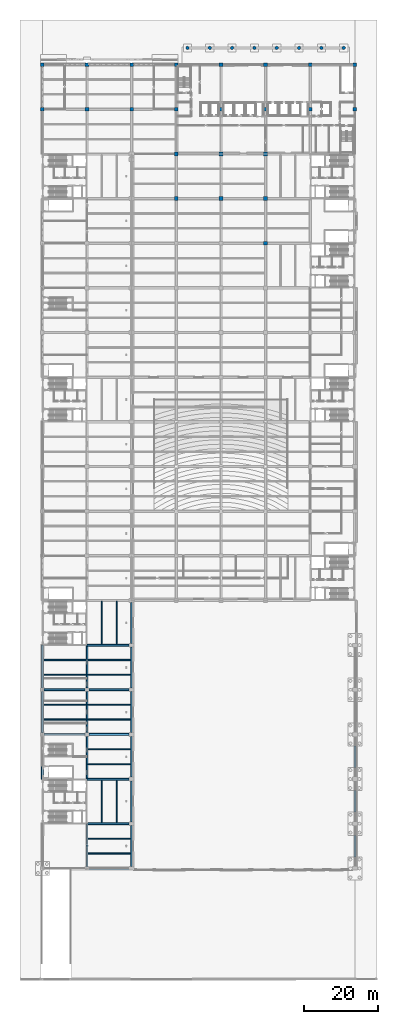
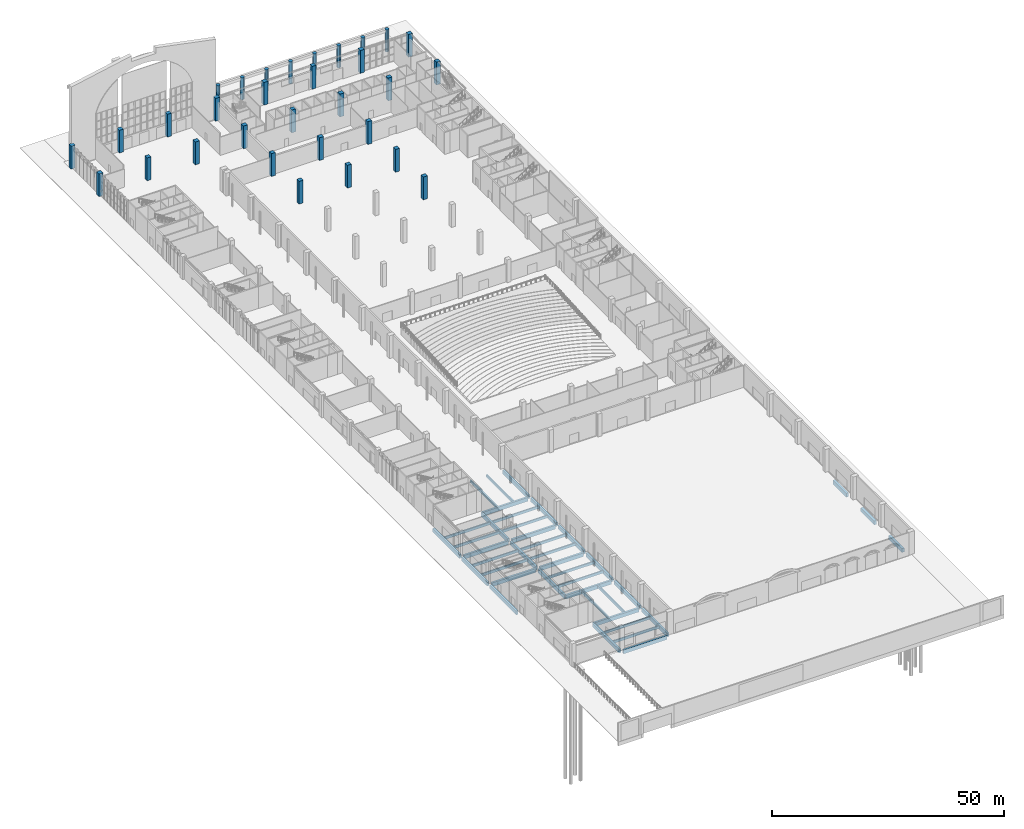
# One storey, part 12 of 59: 40 beams, 31 columns.
"""IFC4 building model written with IfcOpenShell, lengths in metres."""

from ifc_helpers import new_model, si_unit, direction, frame, origin, origin_2d, place, context, subcontext, project, spatial, rectangle, circle, extrude, material, material_profile, profile_set, type_object, element, save


model = new_model("IFC4")

# Units and contexts
model_context = context("Model", 3, precision=1e-05, world=origin(), true_north=direction((0.0, 1.0)))
body_context = subcontext(model_context, "Body", "Model", "MODEL_VIEW")
ifc_project = project(units=[si_unit("LENGTHUNIT", "METRE"), si_unit("AREAUNIT", "SQUARE_METRE"), si_unit("VOLUMEUNIT", "CUBIC_METRE"), si_unit("PLANEANGLEUNIT", "RADIAN"), si_unit("MASSUNIT", "GRAM", prefix="KILO")], contexts=[model_context])

# Site, building, storey
site_placement = place(None, origin())
site = spatial("IfcSite", under=ifc_project, at=site_placement, CompositionType="ELEMENT")
building_placement = place(site_placement, origin())
building = spatial("IfcBuilding", under=site, at=building_placement, Name="Lilac Gate Convention Centre", CompositionType="ELEMENT")
storey_placement = place(building_placement, origin())
storey = spatial("IfcBuildingStorey", under=building, at=storey_placement, Name="L00", CompositionType="ELEMENT", Elevation=0.0)

# Columns
ifc_material_1 = material(Name="Concrete C40", Category="concrete")
ifc_material_profile_1 = material_profile(ifc_material_1, circle(Radius=0.449951171875, at=origin_2d()), Name="Colonnade column D900")
ifc_profile_set_1 = profile_set([ifc_material_profile_1], Name="Concrete C40")
column_type_1 = type_object("IfcColumnType", Name="Colonnade column D900", PredefinedType="COLUMN", material=ifc_profile_set_1)
for number, where, z_axis, x_axis, name in (
    (1, (45.0, 250.5, -0.39990234375), (0.0, 0.0, 1.0), (1.0, 0.0, 0.0), "Colonnade column 1"),
    (2, (51.0, 250.5, -0.39990234375), (0.0, 0.0, 1.0), (1.0, 0.0, 0.0), "Colonnade column 2"),
    (3, (57.0, 250.5, -0.39990234375), (0.0, 0.0, 1.0), (1.0, 0.0, 0.0), "Colonnade column 3"),
    (4, (63.0, 250.5, -0.39990234375), (0.0, 0.0, 1.0), (1.0, 0.0, 0.0), "Colonnade column 4"),
    (5, (69.0, 250.5, -0.39990234375), (0.0, 0.0, 1.0), (1.0, 0.0, 0.0), "Colonnade column 5"),
    (6, (75.0, 250.5, -0.39990234375), (0.0, 0.0, 1.0), (1.0, 0.0, 0.0), "Colonnade column 6"),
    (7, (81.0, 250.5, -0.39990234375), (0.0, 0.0, 1.0), (1.0, 0.0, 0.0), "Colonnade column 7"),
    (8, (87.0, 250.5, -0.39990234375), (0.0, 0.0, 1.0), (1.0, 0.0, 0.0), "Colonnade column 8"),
):
    element("IfcColumn", number, at=place(storey_placement, frame(where, z_axis=z_axis, x_axis=x_axis)), inside=storey, type_object=column_type_1, Name=name, PredefinedType="COLUMN", context=body_context, shape_type="SweptSolid", body=[
        extrude(circle(Radius=0.449951171875, at=origin_2d()), origin(), (0.0, 0.0, 1.0), 5.7998046875),
    ])
ifc_material_profile_2 = material_profile(ifc_material_1, rectangle(XDim=1.0, YDim=1.0, at=origin_2d()), Name="RC 1000x1000")
ifc_profile_set_2 = profile_set([ifc_material_profile_2], Name="Concrete C40")
column_type_2 = type_object("IfcColumnType", Name="RC column 1000x1000 C40", PredefinedType="COLUMN", material=ifc_profile_set_2)
for number, where, z_axis, x_axis, name in (
    (9, (6.0, 234.0, 0.0), (0.0, 0.0, 1.0), (1.0, 0.0, 0.0), "C1 L00 at 1/T"),
    (10, (6.0, 246.0, 0.0), (0.0, 0.0, 1.0), (1.0, 0.0, 0.0), "C1 L00 at 1/U"),
    (11, (18.0, 234.0, 0.0), (0.0, 0.0, 1.0), (1.0, 0.0, 0.0), "C1 L00 at 2/T"),
    (12, (18.0, 246.0, 0.0), (0.0, 0.0, 1.0), (1.0, 0.0, 0.0), "C1 L00 at 2/U"),
    (13, (30.0, 234.0, 0.0), (0.0, 0.0, 1.0), (1.0, 0.0, 0.0), "C1 L00 at 3/T"),
    (14, (30.0, 246.0, 0.0), (0.0, 0.0, 1.0), (1.0, 0.0, 0.0), "C1 L00 at 3/U"),
    (15, (42.0, 210.0, 0.0), (0.0, 0.0, 1.0), (1.0, 0.0, 0.0), "C1 L00 at 4/R"),
    (16, (54.0, 210.0, 0.0), (0.0, 0.0, 1.0), (1.0, 0.0, 0.0), "C1 L00 at 5/R"),
    (17, (66.0, 198.0, 0.0), (0.0, 0.0, 1.0), (1.0, 0.0, 0.0), "C1 L00 at 6/Q"),
    (18, (66.0, 210.0, 0.0), (0.0, 0.0, 1.0), (1.0, 0.0, 0.0), "C1 L00 at 6/R"),
):
    element("IfcColumn", number, at=place(storey_placement, frame(where, z_axis=z_axis, x_axis=x_axis)), inside=storey, type_object=column_type_2, Name=name, PredefinedType="COLUMN", context=body_context, shape_type="SweptSolid", body=[
        extrude(rectangle(XDim=1.0, YDim=1.0, at=origin_2d()), origin(), (0.0, 0.0, 1.0), 6.0),
    ])
ifc_material_2 = material(Name="Concrete C50", Category="concrete")
ifc_material_profile_3 = material_profile(ifc_material_2, rectangle(XDim=1.0, YDim=1.0, at=origin_2d()), Name="RC 1000x1000")
ifc_profile_set_3 = profile_set([ifc_material_profile_3], Name="Concrete C50")
column_type_3 = type_object("IfcColumnType", Name="RC tower column 1000x1000 C50", PredefinedType="COLUMN", material=ifc_profile_set_3)
for number, where, z_axis, x_axis, name in (
    (19, (42.0, 222.0, 0.0), (0.0, 0.0, 1.0), (1.0, 0.0, 0.0), "C3 L00 at 4/S"),
    (20, (42.0, 234.0, 0.0), (0.0, 0.0, 1.0), (1.0, 0.0, 0.0), "C3 L00 at 4/T"),
    (21, (42.0, 246.0, 0.0), (0.0, 0.0, 1.0), (1.0, 0.0, 0.0), "C3 L00 at 4/U"),
    (22, (54.0, 222.0, 0.0), (0.0, 0.0, 1.0), (1.0, 0.0, 0.0), "C3 L00 at 5/S"),
    (23, (54.0, 234.0, 0.0), (0.0, 0.0, 1.0), (1.0, 0.0, 0.0), "C3 L00 at 5/T"),
    (24, (54.0, 246.0, 0.0), (0.0, 0.0, 1.0), (1.0, 0.0, 0.0), "C3 L00 at 5/U"),
    (25, (66.0, 222.0, 0.0), (0.0, 0.0, 1.0), (1.0, 0.0, 0.0), "C3 L00 at 6/S"),
    (26, (66.0, 234.0, 0.0), (0.0, 0.0, 1.0), (1.0, 0.0, 0.0), "C3 L00 at 6/T"),
    (27, (66.0, 246.0, 0.0), (0.0, 0.0, 1.0), (1.0, 0.0, 0.0), "C3 L00 at 6/U"),
    (28, (78.0, 234.0, 0.0), (0.0, 0.0, 1.0), (1.0, 0.0, 0.0), "C3 L00 at 7/T"),
    (29, (78.0, 246.0, 0.0), (0.0, 0.0, 1.0), (1.0, 0.0, 0.0), "C3 L00 at 7/U"),
    (30, (90.0, 234.0, 0.0), (0.0, 0.0, 1.0), (1.0, 0.0, 0.0), "C3 L00 at 8/T"),
    (31, (90.0, 246.0, 0.0), (0.0, 0.0, 1.0), (1.0, 0.0, 0.0), "C3 L00 at 8/U"),
):
    element("IfcColumn", number, at=place(storey_placement, frame(where, z_axis=z_axis, x_axis=x_axis)), inside=storey, type_object=column_type_3, Name=name, PredefinedType="COLUMN", context=body_context, shape_type="SweptSolid", body=[
        extrude(rectangle(XDim=1.0, YDim=1.0, at=origin_2d()), origin(), (0.0, 0.0, 1.0), 6.0),
    ])

# Beams
ifc_material_profile_4 = material_profile(ifc_material_1, rectangle(XDim=0.60009765625, YDim=1.0, at=origin_2d()), Name="RC 600x1000")
ifc_profile_set_4 = profile_set([ifc_material_profile_4], Name="Concrete C40")
beam_type_1 = type_object("IfcBeamType", Name="Ground beam 600x1000 C40", PredefinedType="BEAM", material=ifc_profile_set_4)
for number, where, z_axis, x_axis, name in (
    (32, (90.0, 33.10009765625, -1.10009765625), (0.0, 1.0, 0.0), (-1.0, 0.0, 0.0), "GB1 ground beam PC2-PC2"),
    (33, (90.0, 45.10009765625, -1.10009765625), (0.0, 1.0, 0.0), (-1.0, 0.0, 0.0), "GB1 ground beam PC2-PC2"),
    (34, (90.0, 57.10009765625, -1.10009765625), (0.0, 1.0, 0.0), (-1.0, 0.0, 0.0), "GB1 ground beam PC2-PC2"),
):
    element("IfcBeam", number, at=place(storey_placement, frame(where, z_axis=z_axis, x_axis=x_axis)), inside=storey, type_object=beam_type_1, Name=name, PredefinedType="BEAM", context=body_context, shape_type="SweptSolid", body=[
        extrude(rectangle(XDim=0.60009765625, YDim=1.0, at=origin_2d()), origin(), (0.0, 0.0, 1.0), 5.7998046875),
    ])
ifc_material_profile_5 = material_profile(ifc_material_1, rectangle(XDim=0.5, YDim=1.0, at=origin_2d()), Name="RC 500x1000")
ifc_profile_set_5 = profile_set([ifc_material_profile_5], Name="Concrete C40")
beam_type_2 = type_object("IfcBeamType", Name="Primary beam 500x1000 C40", PredefinedType="BEAM", material=ifc_profile_set_5)
beam_1_placement = place(storey_placement, frame((18.5, 30.0, -0.800048828125), z_axis=(1.0, 0.0, 0.0), x_axis=(0.0, 1.0, 0.0)))
element("IfcBeam", 35, at=beam_1_placement, inside=storey, type_object=beam_type_2, Name="RB1 L00 2/A-3/A", PredefinedType="BEAM", context=body_context, shape_type="SweptSolid", body=[
    extrude(rectangle(XDim=0.5, YDim=1.0, at=origin_2d()), origin(), (0.0, 0.0, 1.0), 10.800048828125),
])
for number, where, z_axis, x_axis, name in (
    (36, (18.0, 42.0, -0.800048828125), (1.0, 0.0, 0.0), (0.0, 1.0, 0.0), "RB1 L00 2/B-3/B"),
    (37, (18.0, 54.0, -0.800048828125), (1.0, 0.0, 0.0), (0.0, 1.0, 0.0), "RB1 L00 2/C-3/C"),
):
    element("IfcBeam", number, at=place(storey_placement, frame(where, z_axis=z_axis, x_axis=x_axis)), inside=storey, type_object=beam_type_2, Name=name, PredefinedType="BEAM", context=body_context, shape_type="SweptSolid", body=[
        extrude(rectangle(XDim=0.5, YDim=1.0, at=origin_2d()), origin(), (0.0, 0.0, 1.0), 11.300048828125),
    ])
beam_2_placement = place(storey_placement, frame((6.5, 66.0, -0.800048828125), z_axis=(1.0, 0.0, 0.0), x_axis=(0.0, 1.0, 0.0)))
element("IfcBeam", 38, at=beam_2_placement, inside=storey, type_object=beam_type_2, Name="RB1 L00 1/D-2/D", PredefinedType="BEAM", context=body_context, shape_type="SweptSolid", body=[
    extrude(rectangle(XDim=0.5, YDim=1.0, at=origin_2d()), origin(), (0.0, 0.0, 1.0), 11.0),
])
beam_3_placement = place(storey_placement, frame((18.5, 66.0, -0.800048828125), z_axis=(1.0, 0.0, 0.0), x_axis=(0.0, 1.0, 0.0)))
element("IfcBeam", 39, at=beam_3_placement, inside=storey, type_object=beam_type_2, Name="RB1 L00 2/D-3/D", PredefinedType="BEAM", context=body_context, shape_type="SweptSolid", body=[
    extrude(rectangle(XDim=0.5, YDim=1.0, at=origin_2d()), origin(), (0.0, 0.0, 1.0), 10.800048828125),
])
beam_4_placement = place(storey_placement, frame((6.5, 78.0, -0.800048828125), z_axis=(1.0, 0.0, 0.0), x_axis=(0.0, 1.0, 0.0)))
element("IfcBeam", 40, at=beam_4_placement, inside=storey, type_object=beam_type_2, Name="RB1 L00 1/E-2/E", PredefinedType="BEAM", context=body_context, shape_type="SweptSolid", body=[
    extrude(rectangle(XDim=0.5, YDim=1.0, at=origin_2d()), origin(), (0.0, 0.0, 1.0), 11.0),
])
beam_5_placement = place(storey_placement, frame((18.5, 78.0, -0.800048828125), z_axis=(1.0, 0.0, 0.0), x_axis=(0.0, 1.0, 0.0)))
element("IfcBeam", 41, at=beam_5_placement, inside=storey, type_object=beam_type_2, Name="RB1 L00 2/E-3/E", PredefinedType="BEAM", context=body_context, shape_type="SweptSolid", body=[
    extrude(rectangle(XDim=0.5, YDim=1.0, at=origin_2d()), origin(), (0.0, 0.0, 1.0), 10.800048828125),
])
beam_6_placement = place(storey_placement, frame((18.0, 90.0, -0.800048828125), z_axis=(1.0, 0.0, 0.0), x_axis=(0.0, 1.0, 0.0)))
element("IfcBeam", 42, at=beam_6_placement, inside=storey, type_object=beam_type_2, Name="RB1 L00 2/F-3/F", PredefinedType="BEAM", context=body_context, shape_type="SweptSolid", body=[
    extrude(rectangle(XDim=0.5, YDim=1.0, at=origin_2d()), origin(), (0.0, 0.0, 1.0), 11.300048828125),
])
beam_7_placement = place(storey_placement, frame((6.0, 54.0, -0.800048828125), z_axis=(0.0, 1.0, 0.0), x_axis=(-1.0, 0.0, 0.0)))
element("IfcBeam", 43, at=beam_7_placement, inside=storey, type_object=beam_type_2, Name="RB1 L00 1/C-1/D", PredefinedType="BEAM", context=body_context, shape_type="SweptSolid", body=[
    extrude(rectangle(XDim=0.5, YDim=1.0, at=origin_2d()), origin(), (0.0, 0.0, 1.0), 11.5),
])
beam_8_placement = place(storey_placement, frame((6.0, 66.5, -0.800048828125), z_axis=(0.0, 1.0, 0.0), x_axis=(-1.0, 0.0, 0.0)))
element("IfcBeam", 44, at=beam_8_placement, inside=storey, type_object=beam_type_2, Name="RB1 L00 1/D-1/E", PredefinedType="BEAM", context=body_context, shape_type="SweptSolid", body=[
    extrude(rectangle(XDim=0.5, YDim=1.0, at=origin_2d()), origin(), (0.0, 0.0, 1.0), 11.0),
])
for number, where, z_axis, x_axis, name in (
    (45, (6.0, 78.5, -0.800048828125), (0.0, 1.0, 0.0), (-1.0, 0.0, 0.0), "RB1 L00 1/E-1/F"),
    (46, (18.0, 30.5, -0.800048828125), (0.0, 1.0, 0.0), (-1.0, 0.0, 0.0), "RB1 L00 2/A-2/B"),
    (47, (18.0, 54.0, -0.800048828125), (0.0, 1.0, 0.0), (-1.0, 0.0, 0.0), "RB1 L00 2/C-2/D"),
):
    element("IfcBeam", number, at=place(storey_placement, frame(where, z_axis=z_axis, x_axis=x_axis)), inside=storey, type_object=beam_type_2, Name=name, PredefinedType="BEAM", context=body_context, shape_type="SweptSolid", body=[
        extrude(rectangle(XDim=0.5, YDim=1.0, at=origin_2d()), origin(), (0.0, 0.0, 1.0), 11.5),
    ])
beam_9_placement = place(storey_placement, frame((18.0, 66.5, -0.800048828125), z_axis=(0.0, 1.0, 0.0), x_axis=(-1.0, 0.0, 0.0)))
element("IfcBeam", 48, at=beam_9_placement, inside=storey, type_object=beam_type_2, Name="RB1 L00 2/D-2/E", PredefinedType="BEAM", context=body_context, shape_type="SweptSolid", body=[
    extrude(rectangle(XDim=0.5, YDim=1.0, at=origin_2d()), origin(), (0.0, 0.0, 1.0), 11.0),
])
beam_10_placement = place(storey_placement, frame((18.0, 78.5, -0.800048828125), z_axis=(0.0, 1.0, 0.0), x_axis=(-1.0, 0.0, 0.0)))
element("IfcBeam", 49, at=beam_10_placement, inside=storey, type_object=beam_type_2, Name="RB1 L00 2/E-2/F", PredefinedType="BEAM", context=body_context, shape_type="SweptSolid", body=[
    extrude(rectangle(XDim=0.5, YDim=1.0, at=origin_2d()), origin(), (0.0, 0.0, 1.0), 11.5),
])
for number, where, z_axis, x_axis, name in (
    (50, (30.0, 30.5, -0.800048828125), (0.0, 1.0, 0.0), (-1.0, 0.0, 0.0), "RB1 L00 3/A-3/B"),
    (51, (30.0, 42.5, -0.800048828125), (0.0, 1.0, 0.0), (-1.0, 0.0, 0.0), "RB1 L00 3/B-3/C"),
    (52, (30.0, 54.5, -0.800048828125), (0.0, 1.0, 0.0), (-1.0, 0.0, 0.0), "RB1 L00 3/C-3/D"),
    (53, (30.0, 66.5, -0.800048828125), (0.0, 1.0, 0.0), (-1.0, 0.0, 0.0), "RB1 L00 3/D-3/E"),
    (54, (30.0, 78.5, -0.800048828125), (0.0, 1.0, 0.0), (-1.0, 0.0, 0.0), "RB1 L00 3/E-3/F"),
    (55, (30.0, 90.5, -0.800048828125), (0.0, 1.0, 0.0), (-1.0, 0.0, 0.0), "RB1 L00 3/F-3/G"),
):
    element("IfcBeam", number, at=place(storey_placement, frame(where, z_axis=z_axis, x_axis=x_axis)), inside=storey, type_object=beam_type_2, Name=name, PredefinedType="BEAM", context=body_context, shape_type="SweptSolid", body=[
        extrude(rectangle(XDim=0.5, YDim=1.0, at=origin_2d()), origin(), (0.0, 0.0, 1.0), 11.0),
    ])
ifc_material_profile_6 = material_profile(ifc_material_1, rectangle(XDim=0.300048828125, YDim=0.699951171875, at=origin_2d()), Name="RC 300x700")
ifc_profile_set_6 = profile_set([ifc_material_profile_6], Name="Concrete C40")
beam_type_3 = type_object("IfcBeamType", Name="Secondary beam 300x700 C40", PredefinedType="BEAM", material=ifc_profile_set_6)
for number, where, z_axis, x_axis, name in (
    (56, (6.25, 70.0, -0.64990234375), (1.0, 0.0, 0.0), (0.0, 1.0, 0.0), "RB2 L00 bay 1/D"),
    (57, (6.25, 74.0, -0.64990234375), (1.0, 0.0, 0.0), (0.0, 1.0, 0.0), "RB2 L00 bay 1/D"),
    (58, (6.25, 82.0, -0.64990234375), (1.0, 0.0, 0.0), (0.0, 1.0, 0.0), "RB2 L00 bay 1/E"),
    (59, (6.25, 86.0, -0.64990234375), (1.0, 0.0, 0.0), (0.0, 1.0, 0.0), "RB2 L00 bay 1/E"),
    (60, (18.25, 34.0, -0.64990234375), (1.0, 0.0, 0.0), (0.0, 1.0, 0.0), "RB2 L00 bay 2/A"),
    (61, (18.25, 38.0, -0.64990234375), (1.0, 0.0, 0.0), (0.0, 1.0, 0.0), "RB2 L00 bay 2/A"),
    (62, (22.0, 42.25, -0.64990234375), (0.0, 1.0, 0.0), (-1.0, 0.0, 0.0), "RB2 L00 bay 2/B"),
    (63, (26.0, 42.25, -0.64990234375), (0.0, 1.0, 0.0), (-1.0, 0.0, 0.0), "RB2 L00 bay 2/B"),
    (64, (18.25, 58.0, -0.64990234375), (1.0, 0.0, 0.0), (0.0, 1.0, 0.0), "RB2 L00 bay 2/C"),
    (65, (18.25, 62.0, -0.64990234375), (1.0, 0.0, 0.0), (0.0, 1.0, 0.0), "RB2 L00 bay 2/C"),
    (66, (18.25, 70.0, -0.64990234375), (1.0, 0.0, 0.0), (0.0, 1.0, 0.0), "RB2 L00 bay 2/D"),
    (67, (18.25, 74.0, -0.64990234375), (1.0, 0.0, 0.0), (0.0, 1.0, 0.0), "RB2 L00 bay 2/D"),
    (68, (18.25, 82.0, -0.64990234375), (1.0, 0.0, 0.0), (0.0, 1.0, 0.0), "RB2 L00 bay 2/E"),
    (69, (18.25, 86.0, -0.64990234375), (1.0, 0.0, 0.0), (0.0, 1.0, 0.0), "RB2 L00 bay 2/E"),
    (70, (22.0, 90.25, -0.64990234375), (0.0, 1.0, 0.0), (-1.0, 0.0, 0.0), "RB2 L00 bay 2/F"),
    (71, (26.0, 90.25, -0.64990234375), (0.0, 1.0, 0.0), (-1.0, 0.0, 0.0), "RB2 L00 bay 2/F"),
):
    element("IfcBeam", number, at=place(storey_placement, frame(where, z_axis=z_axis, x_axis=x_axis)), inside=storey, type_object=beam_type_3, Name=name, PredefinedType="BEAM", context=body_context, shape_type="SweptSolid", body=[
        extrude(rectangle(XDim=0.300048828125, YDim=0.699951171875, at=origin_2d()), origin(), (0.0, 0.0, 1.0), 11.5),
    ])

save(model, "model.ifc")
